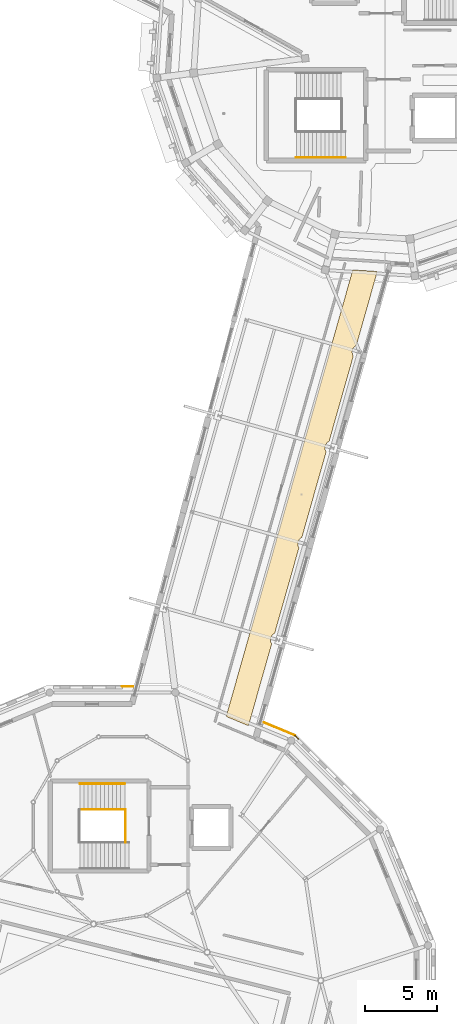
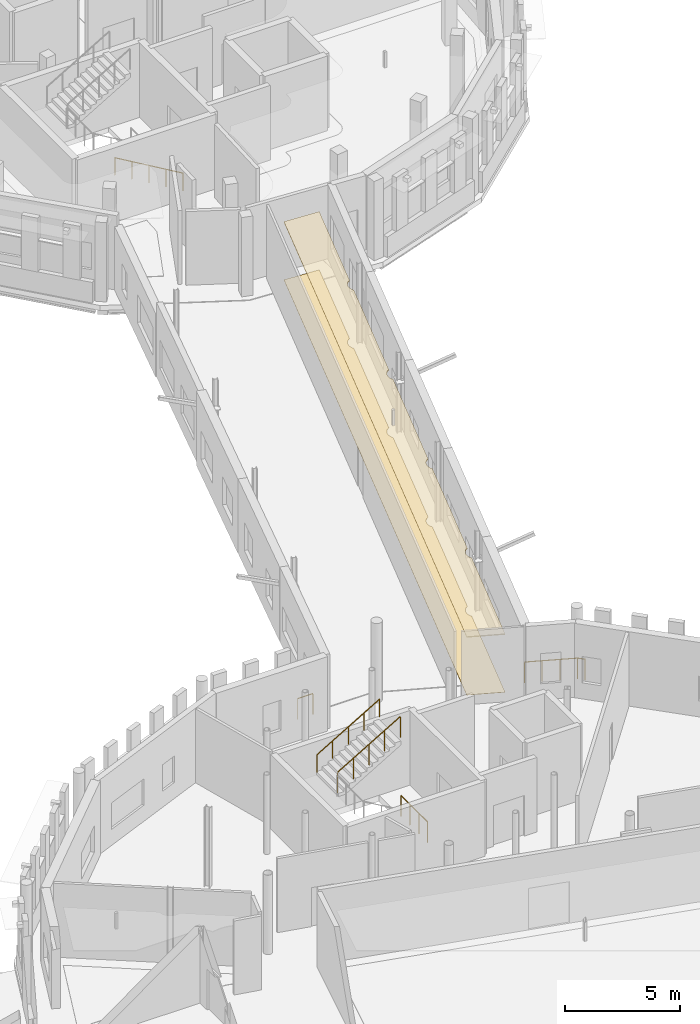
# One storey, part 89 of 90: 7 railings, 2 coverings.
"""IFC4 building model written with IfcOpenShell, lengths in metres."""

from ifc_helpers import new_model, si_unit, direction, frame, origin, origin_2d, place, context, subcontext, project, spatial, polyline, circle, outline, extrude, material, layer, layer_set, type_object, element, save


model = new_model("IFC4")

# Units and contexts
model_context = context("Model", 3, precision=1e-05, world=origin(), true_north=direction((0.0, 1.0)))
body_context = subcontext(model_context, "Body", "Model", "MODEL_VIEW")
ifc_project = project(units=[si_unit("LENGTHUNIT", "METRE"), si_unit("AREAUNIT", "SQUARE_METRE"), si_unit("VOLUMEUNIT", "CUBIC_METRE"), si_unit("PLANEANGLEUNIT", "RADIAN"), si_unit("MASSUNIT", "GRAM", prefix="KILO")], contexts=[model_context])

# Site, building, storey
site_placement = place(None, origin())
site = spatial("IfcSite", under=ifc_project, at=site_placement, CompositionType="ELEMENT")
building_placement = place(site_placement, origin())
building = spatial("IfcBuilding", under=site, at=building_placement, Name="Wrenclough Park School", CompositionType="ELEMENT")
storey_placement = place(building_placement, frame((0.0, 0.0, 8.39990234375)))
storey = spatial("IfcBuildingStorey", under=building, at=storey_placement, Name="L02", CompositionType="ELEMENT", Elevation=8.39990234375)

# Coverings
ifc_material_1 = material(Name="Class A mineral-fibre acoustic ceiling raft", Category="gypsum")
ifc_layer_1 = layer(ifc_material_1, 0.044921875)
ifc_layer_set_1 = layer_set([ifc_layer_1], Name="Class A mineral-fibre acoustic ceiling raft")
covering_type_1 = type_object("IfcCoveringType", Name="INT-COV-CEIL", PredefinedType="CEILING", material=ifc_layer_set_1)
covering_1_placement = place(storey_placement, frame((0.0, 0.0, 3.05517578125)))
element("IfcCovering", 1, at=covering_1_placement, inside=storey, type_object=covering_type_1, Name="Park View Seminar Classroom L02 acoustic ceiling raft", PredefinedType="CEILING", context=body_context, shape_type="SweptSolid", body=[
    extrude(outline(polyline([(163.4306640625, 46.845947265625), (164.985107421875, 46.2021484375), (166.60205078125, 51.904541015625), (166.56201171875, 51.981201171875), (166.544677734375, 52.029541015625), (166.524658203125, 52.1298828125), (166.524658203125, 52.232177734375), (166.544677734375, 52.33251953125), (166.583740234375, 52.427001953125), (166.640625, 52.511962890625), (166.712890625, 52.58447265625), (166.81298828125, 52.648193359375), (168.50244140625, 58.605712890625), (168.462890625, 58.681396484375), (168.44580078125, 58.7294921875), (168.42578125, 58.829833984375), (168.42578125, 58.93212890625), (168.44580078125, 59.032470703125), (168.48486328125, 59.126953125), (168.54150390625, 59.2119140625), (168.614013671875, 59.284423828125), (168.712890625, 59.347900390625), (170.402587890625, 65.3056640625), (170.36279296875, 65.38134765625), (170.345703125, 65.429443359375), (170.32568359375, 65.52978515625), (170.32568359375, 65.632080078125), (170.345703125, 65.732421875), (170.384765625, 65.826904296875), (170.441650390625, 65.912109375), (170.513916015625, 65.984375), (170.61279296875, 66.0478515625), (172.302001953125, 72.00439453125), (172.261962890625, 72.081298828125), (172.24462890625, 72.12939453125), (172.224609375, 72.22998046875), (172.224609375, 72.33203125), (172.24462890625, 72.4326171875), (172.28369140625, 72.527099609375), (172.340576171875, 72.612060546875), (172.4130859375, 72.684326171875), (172.51318359375, 72.748291015625), (173.97314453125, 77.89697265625), (172.265380859375, 78.0087890625), (163.4306640625, 46.845947265625)])), origin(), (0.0, 0.0, 1.0), 0.044921875),
])
ifc_material_2 = material(Name="Acoustic natural linoleum school flooring", Category="wood")
ifc_layer_2 = layer(ifc_material_2, 0.014892578125)
ifc_layer_set_2 = layer_set([ifc_layer_2], Name="Acoustic natural linoleum school flooring")
covering_type_2 = type_object("IfcCoveringType", Name="INT-COV-FLOOR1", PredefinedType="FLOORING", material=ifc_layer_set_2)
covering_2_placement = place(storey_placement, origin())
element("IfcCovering", 2, at=covering_2_placement, inside=storey, type_object=covering_type_2, Name="Park View Seminar Classroom L02 floor finish", PredefinedType="FLOORING", context=body_context, shape_type="SweptSolid", body=[
    extrude(outline(polyline([(163.4306640625, 46.845947265625), (164.985107421875, 46.2021484375), (166.60205078125, 51.904541015625), (166.56201171875, 51.981201171875), (166.544677734375, 52.029541015625), (166.524658203125, 52.1298828125), (166.524658203125, 52.232177734375), (166.544677734375, 52.33251953125), (166.583740234375, 52.427001953125), (166.640625, 52.511962890625), (166.712890625, 52.58447265625), (166.81298828125, 52.648193359375), (168.50244140625, 58.605712890625), (168.462890625, 58.681396484375), (168.44580078125, 58.7294921875), (168.42578125, 58.829833984375), (168.42578125, 58.93212890625), (168.44580078125, 59.032470703125), (168.48486328125, 59.126953125), (168.54150390625, 59.2119140625), (168.614013671875, 59.284423828125), (168.712890625, 59.347900390625), (170.402587890625, 65.3056640625), (170.36279296875, 65.38134765625), (170.345703125, 65.429443359375), (170.32568359375, 65.52978515625), (170.32568359375, 65.632080078125), (170.345703125, 65.732421875), (170.384765625, 65.826904296875), (170.441650390625, 65.912109375), (170.513916015625, 65.984375), (170.61279296875, 66.0478515625), (172.302001953125, 72.00439453125), (172.261962890625, 72.081298828125), (172.24462890625, 72.12939453125), (172.224609375, 72.22998046875), (172.224609375, 72.33203125), (172.24462890625, 72.4326171875), (172.28369140625, 72.527099609375), (172.340576171875, 72.612060546875), (172.4130859375, 72.684326171875), (172.51318359375, 72.748291015625), (173.97314453125, 77.89697265625), (172.265380859375, 78.0087890625), (163.4306640625, 46.845947265625)])), origin(), (0.0, 0.0, 1.0), 0.01513671875),
])

# Railings
ifc_material_3 = material(Name="Powder-coated steel vertical-baluster stair and atrium guard", Category="steel")
railing_type_1 = type_object("IfcRailingType", Name="INT-RL-GD1120", PredefinedType="GUARDRAIL", material=ifc_material_3)
railing_1_placement = place(storey_placement, frame((156.39501953125, 38.050048828125, 0.0)))
element("IfcRailing", 3, at=railing_1_placement, inside=storey, type_object=railing_type_1, Name="ST-01 L02 well guard 1", PredefinedType="GUARDRAIL", context=body_context, shape_type="SweptSolid", body=[
    extrude(circle(Radius=0.02392578125, at=origin_2d()), frame((0.0, 0.0, 1.09619140625), z_axis=(0.0, 1.0, 0.0), x_axis=(-1.0, 0.0, 0.0)), (0.0, 0.0, 1.0), 2.300048828125),
    extrude(circle(Radius=0.02099609375, at=origin_2d()), origin(), (0.0, 0.0, 1.0), 1.072021484375),
    extrude(circle(Radius=0.02099609375, at=origin_2d()), frame((0.0, 0.7666015625, 0.0)), (0.0, 0.0, 1.0), 1.072021484375),
    extrude(circle(Radius=0.02099609375, at=origin_2d()), frame((0.0, 1.533447265625, 0.0)), (0.0, 0.0, 1.0), 1.072021484375),
    extrude(circle(Radius=0.02099609375, at=origin_2d()), frame((0.0, 2.300048828125, 0.0)), (0.0, 0.0, 1.0), 1.072021484375),
])
railing_2_placement = place(storey_placement, frame((153.219970703125, 40.35009765625, 2.35205078125)))
element("IfcRailing", 4, at=railing_2_placement, inside=storey, type_object=railing_type_1, Name="ST-01 L02 well guard 4", PredefinedType="GUARDRAIL", context=body_context, shape_type="SweptSolid", body=[
    extrude(circle(Radius=0.02392578125, at=origin_2d()), frame((0.0, 0.0, 1.09619140625), z_axis=(0.861450943231, 0.0, 0.507840794351), x_axis=(0.0, 1.0, 0.0)), (0.0, 0.0, 1.0), 3.63916015625),
    extrude(circle(Radius=0.02099609375, at=origin_2d()), origin(), (0.0, 0.0, 1.0), 1.072021484375),
    extrude(circle(Radius=0.02099609375, at=origin_2d()), frame((0.78369140625, 0.0, 0.4619140625)), (0.0, 0.0, 1.0), 1.072021484375),
    extrude(circle(Radius=0.02099609375, at=origin_2d()), frame((1.5673828125, 0.0, 0.924072265625)), (0.0, 0.0, 1.0), 1.072021484375),
    extrude(circle(Radius=0.02099609375, at=origin_2d()), frame((2.351318359375, 0.0, 1.38623046875)), (0.0, 0.0, 1.0), 1.072021484375),
    extrude(circle(Radius=0.02099609375, at=origin_2d()), frame((3.135009765625, 0.0, 1.84814453125)), (0.0, 0.0, 1.0), 1.072021484375),
])
railing_3_placement = place(storey_placement, frame((166.077392578125, 46.416259765625, 0.0)))
element("IfcRailing", 5, at=railing_3_placement, inside=storey, type_object=railing_type_1, Name="L02 perimeter slab-edge guard D1-E.1", PredefinedType="GUARDRAIL", context=body_context, shape_type="SweptSolid", body=[
    extrude(circle(Radius=0.02392578125, at=origin_2d()), frame((0.0, 0.0, 1.09619140625), z_axis=(0.923883134625, -0.382674735977, 0.0), x_axis=(0.382674735977, 0.923883134625, 0.0)), (0.0, 0.0, 1.0), 2.314697265625),
    extrude(circle(Radius=0.02099609375, at=origin_2d()), origin(), (0.0, 0.0, 1.0), 1.072021484375),
    extrude(circle(Radius=0.02099609375, at=origin_2d()), frame((0.712890625, -0.295166015625, 0.0)), (0.0, 0.0, 1.0), 1.072021484375),
    extrude(circle(Radius=0.02099609375, at=origin_2d()), frame((1.425537109375, -0.590576171875, 0.0)), (0.0, 0.0, 1.0), 1.072021484375),
    extrude(circle(Radius=0.02099609375, at=origin_2d()), frame((2.138427734375, -0.8857421875, 0.0)), (0.0, 0.0, 1.0), 1.072021484375),
])
railing_4_placement = place(storey_placement, frame((168.2158203125, 45.530517578125, 0.0)))
element("IfcRailing", 6, at=railing_4_placement, inside=storey, type_object=railing_type_1, Name="L02 perimeter slab-edge guard D1-E.2", PredefinedType="GUARDRAIL", context=body_context, shape_type="SweptSolid", body=[
    extrude(circle(Radius=0.02392578125, at=origin_2d()), frame((0.0, 0.0, 1.09619140625), z_axis=(0.707106781187, -0.707106781187, 0.0), x_axis=(0.707106781187, 0.707106781187, 0.0)), (0.0, 0.0, 1.0), 0.35107421875),
    extrude(circle(Radius=0.02099609375, at=origin_2d()), origin(), (0.0, 0.0, 1.0), 1.072021484375),
    extrude(circle(Radius=0.02099609375, at=origin_2d()), frame((0.248291015625, -0.248291015625, 0.0)), (0.0, 0.0, 1.0), 1.072021484375),
])
railing_5_placement = place(storey_placement, frame((156.18115234375, 48.947998046875, 0.0)))
element("IfcRailing", 7, at=railing_5_placement, inside=storey, type_object=railing_type_1, Name="L02 perimeter slab-edge guard D1-W.1", PredefinedType="GUARDRAIL", context=body_context, shape_type="SweptSolid", body=[
    extrude(circle(Radius=0.02392578125, at=origin_2d()), frame((0.0, 0.0, 1.09619140625), z_axis=(1.0, 0.0, 0.0), x_axis=(0.0, 1.0, 0.0)), (0.0, 0.0, 1.0), 0.7578125),
    extrude(circle(Radius=0.02099609375, at=origin_2d()), origin(), (0.0, 0.0, 1.0), 1.072021484375),
    extrude(circle(Radius=0.02099609375, at=origin_2d()), frame((0.7578125, 0.0, 0.0)), (0.0, 0.0, 1.0), 1.072021484375),
])
ifc_material_4 = material(Name="Brushed stainless steel tubular handrail", Category="steel")
railing_type_2 = type_object("IfcRailingType", Name="INT-RL-HR950", PredefinedType="HANDRAIL", material=ifc_material_4)
railing_6_placement = place(storey_placement, frame((153.219970703125, 42.14990234375, 2.35205078125)))
element("IfcRailing", 8, at=railing_6_placement, inside=storey, type_object=railing_type_2, Name="ST-01 L02 pitch handrail 2", PredefinedType="HANDRAIL", context=body_context, shape_type="SweptSolid", body=[
    extrude(circle(Radius=0.02392578125, at=origin_2d()), frame((0.0, 0.0, 0.92578125), z_axis=(0.861450943231, 0.0, 0.507840794351), x_axis=(0.0, 1.0, 0.0)), (0.0, 0.0, 1.0), 3.63916015625),
    extrude(circle(Radius=0.02099609375, at=origin_2d()), origin(), (0.0, 0.0, 1.0), 0.90185546875),
    extrude(circle(Radius=0.02099609375, at=origin_2d()), frame((0.78369140625, 0.0, 0.4619140625)), (0.0, 0.0, 1.0), 0.90185546875),
    extrude(circle(Radius=0.02099609375, at=origin_2d()), frame((1.5673828125, 0.0, 0.924072265625)), (0.0, 0.0, 1.0), 0.90185546875),
    extrude(circle(Radius=0.02099609375, at=origin_2d()), frame((2.351318359375, 0.0, 1.38623046875)), (0.0, 0.0, 1.0), 0.90185546875),
    extrude(circle(Radius=0.02099609375, at=origin_2d()), frame((3.135009765625, 0.0, 1.84814453125)), (0.0, 0.0, 1.0), 0.90185546875),
])
railing_7_placement = place(storey_placement, frame((171.739990234375, 85.85009765625, 0.168212890625)))
element("IfcRailing", 9, at=railing_7_placement, inside=storey, type_object=railing_type_2, Name="ST-05 L02 pitch handrail 1", PredefinedType="HANDRAIL", context=body_context, shape_type="SweptSolid", body=[
    extrude(circle(Radius=0.02392578125, at=origin_2d()), frame((0.0, 0.0, 0.92578125), z_axis=(-0.861476970849, 0.0, 0.507796641084), x_axis=(0.0, -1.0, 0.0)), (0.0, 0.0, 1.0), 3.9697265625),
    extrude(circle(Radius=0.02099609375, at=origin_2d()), origin(), (0.0, 0.0, 1.0), 0.90185546875),
    extrude(circle(Radius=0.02099609375, at=origin_2d()), frame((-0.85498046875, 0.0, 0.50390625)), (0.0, 0.0, 1.0), 0.90185546875),
    extrude(circle(Radius=0.02099609375, at=origin_2d()), frame((-1.7099609375, 0.0, 1.0078125)), (0.0, 0.0, 1.0), 0.90185546875),
    extrude(circle(Radius=0.02099609375, at=origin_2d()), frame((-2.56494140625, 0.0, 1.511962890625)), (0.0, 0.0, 1.0), 0.90185546875),
    extrude(circle(Radius=0.02099609375, at=origin_2d()), frame((-3.419921875, 0.0, 2.015869140625)), (0.0, 0.0, 1.0), 0.90185546875),
])

save(model, "model.ifc")
